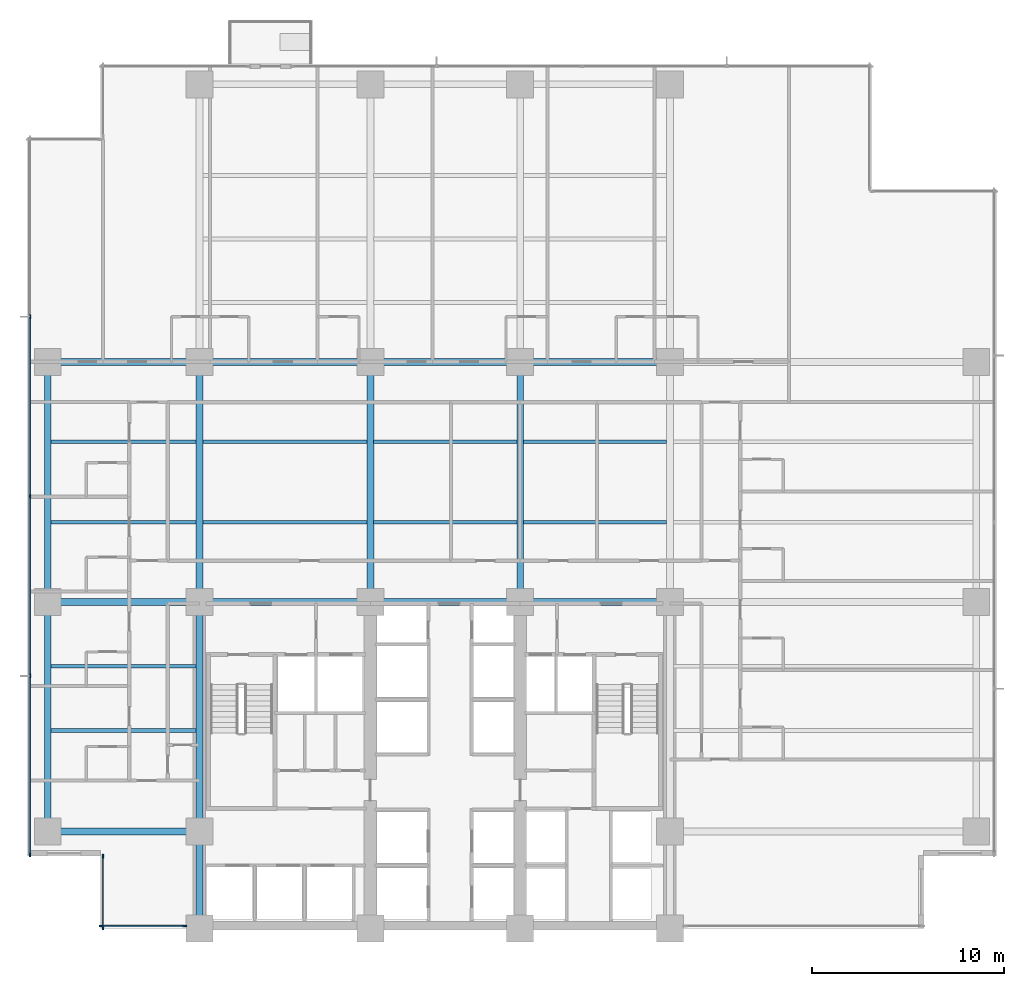
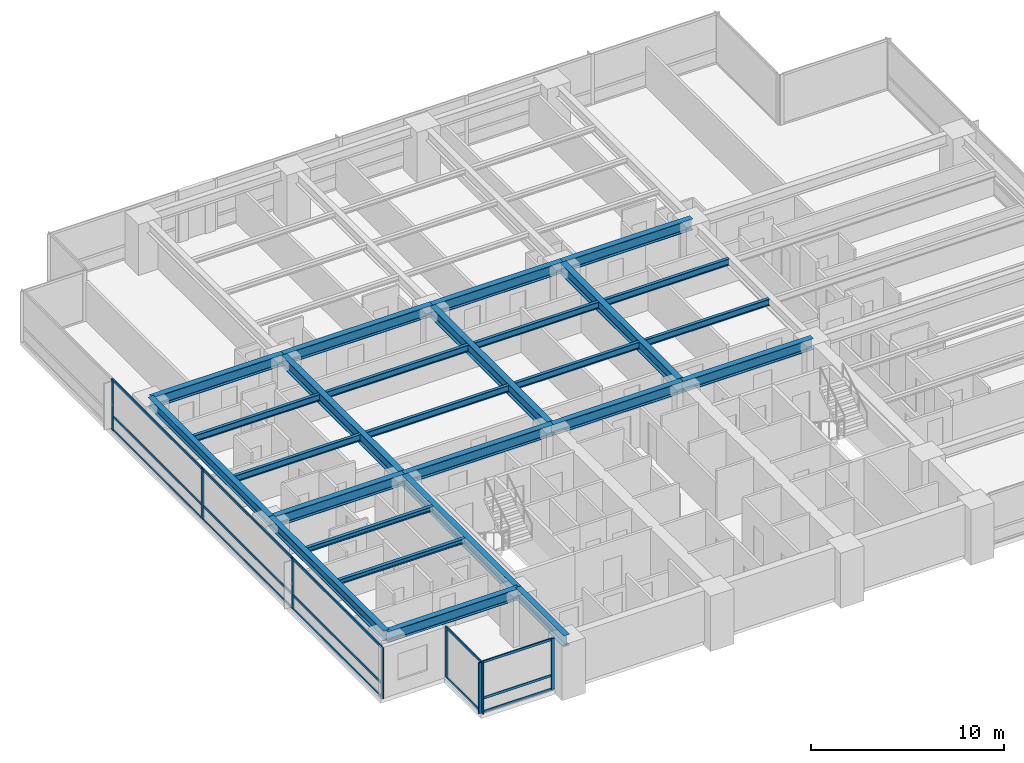
# One storey, part 2 of 16: 26 beams, 22 members, 3 elements without a shape of their own.
"""IFC4 building model written with IfcOpenShell, lengths in metres."""

from ifc_helpers import new_model, si_unit, direction, frame, origin, origin_2d, place, context, subcontext, project, spatial, rectangle, i_section, extrude, material, layer, layer_set, material_profile, profile_set, type_object, element, aggregate, save


model = new_model("IFC4")

# Units and contexts
model_context = context("Model", 3, precision=1e-05, world=origin(), true_north=direction((0.0, 1.0)))
body_context = subcontext(model_context, "Body", "Model", "MODEL_VIEW")
ifc_project = project(units=[si_unit("LENGTHUNIT", "METRE"), si_unit("AREAUNIT", "SQUARE_METRE"), si_unit("VOLUMEUNIT", "CUBIC_METRE"), si_unit("PLANEANGLEUNIT", "RADIAN"), si_unit("MASSUNIT", "GRAM", prefix="KILO")], contexts=[model_context])

# Site, building, storey
site_placement = place(None, origin())
site = spatial("IfcSite", under=ifc_project, at=site_placement, CompositionType="ELEMENT")
building_placement = place(site_placement, origin())
building = spatial("IfcBuilding", under=site, at=building_placement, Name="Qalmaran Belvedere Hotel", CompositionType="ELEMENT")
storey_placement = place(building_placement, frame((0.0, 0.0, 57.89990234375)))
storey = spatial("IfcBuildingStorey", under=building, at=storey_placement, Name="L14", CompositionType="ELEMENT", Elevation=57.89990234375)

# Beams
ifc_material_1 = material(Name="Steel S355JR", Category="steel")
ifc_material_profile_1 = material_profile(ifc_material_1, i_section(OverallWidth=0.202880859375, OverallDepth=0.302978515625, WebThickness=0.007568359375, FlangeThickness=0.01318359375, FilletRadius=0.012939453125, at=origin_2d()), Name="W310X60")
ifc_profile_set_1 = profile_set([ifc_material_profile_1], Name="Steel S355JR")
beam_type_1 = type_object("IfcBeamType", Name="BM-JST-W310X60", PredefinedType="JOIST", material=ifc_profile_set_1)
for number, where, z_axis, x_axis, name in (
    (1, (12.5615234375, 13.800048828125, 3.068603515625), (1.0, 0.0, 0.0), (0.0, 1.0, 0.0), "L14 West Wing Joist 038"),
    (2, (12.5615234375, 17.14990234375, 3.068603515625), (1.0, 0.0, 0.0), (0.0, 1.0, 0.0), "L14 West Wing Joist 040"),
):
    element("IfcBeam", number, at=place(storey_placement, frame(where, z_axis=z_axis, x_axis=x_axis)), inside=storey, type_object=beam_type_1, Name=name, PredefinedType="JOIST", context=body_context, shape_type="SweptSolid", body=[
        extrude(i_section(OverallWidth=0.202880859375, OverallDepth=0.302978515625, WebThickness=0.007568359375, FlangeThickness=0.01318359375, FilletRadius=0.012939453125, at=origin_2d()), origin(), (0.0, 0.0, 1.0), 7.56298828125),
    ])
ifc_material_profile_2 = material_profile(ifc_material_1, i_section(OverallWidth=0.180908203125, OverallDepth=0.4169921875, WebThickness=0.010986328125, FlangeThickness=0.018310546875, FilletRadius=0.014892578125, at=origin_2d()), Name="W410X85")
ifc_profile_set_2 = profile_set([ifc_material_profile_2], Name="Steel S355JR")
beam_type_2 = type_object("IfcBeamType", Name="BM-SB1-W410X85", PredefinedType="BEAM", material=ifc_profile_set_2)
beam_1_placement = place(storey_placement, frame((12.5615234375, 24.64990234375, 3.01171875), z_axis=(1.0, 0.0, 0.0), x_axis=(0.0, 1.0, 0.0)))
element("IfcBeam", 3, at=beam_1_placement, inside=storey, type_object=beam_type_2, Name="L14 West Secondary Beam 028", PredefinedType="BEAM", context=body_context, shape_type="SweptSolid", body=[
    extrude(i_section(OverallWidth=0.180908203125, OverallDepth=0.4169921875, WebThickness=0.010986328125, FlangeThickness=0.018310546875, FilletRadius=0.014892578125, at=origin_2d()), origin(), (0.0, 0.0, 1.0), 7.56298828125),
])
beam_2_placement = place(storey_placement, frame((20.4755859375, 24.64990234375, 3.01171875), z_axis=(1.0, 0.0, 0.0), x_axis=(0.0, 1.0, 0.0)))
element("IfcBeam", 4, at=beam_2_placement, inside=storey, type_object=beam_type_2, Name="L14 Secondary Floor Beam 029", PredefinedType="BEAM", context=body_context, shape_type="SweptSolid", body=[
    extrude(i_section(OverallWidth=0.180908203125, OverallDepth=0.4169921875, WebThickness=0.010986328125, FlangeThickness=0.018310546875, FilletRadius=0.014892578125, at=origin_2d()), origin(), (0.0, 0.0, 1.0), 8.548828125),
])
for number, where, z_axis, x_axis, name in (
    (5, (29.37548828125, 24.64990234375, 3.01171875), (1.0, 0.0, 0.0), (0.0, 1.0, 0.0), "L14 Secondary Floor Beam 030"),
    (6, (37.175537109375, 24.64990234375, 3.01171875), (1.0, 0.0, 0.0), (0.0, 1.0, 0.0), "L14 Secondary Floor Beam 031"),
):
    element("IfcBeam", number, at=place(storey_placement, frame(where, z_axis=z_axis, x_axis=x_axis)), inside=storey, type_object=beam_type_2, Name=name, PredefinedType="BEAM", context=body_context, shape_type="SweptSolid", body=[
        extrude(i_section(OverallWidth=0.180908203125, OverallDepth=0.4169921875, WebThickness=0.010986328125, FlangeThickness=0.018310546875, FilletRadius=0.014892578125, at=origin_2d()), origin(), (0.0, 0.0, 1.0), 7.448974609375),
    ])
beam_3_placement = place(storey_placement, frame((12.5615234375, 28.85009765625, 3.01171875), z_axis=(1.0, 0.0, 0.0), x_axis=(0.0, 1.0, 0.0)))
element("IfcBeam", 7, at=beam_3_placement, inside=storey, type_object=beam_type_2, Name="L14 West Secondary Beam 033", PredefinedType="BEAM", context=body_context, shape_type="SweptSolid", body=[
    extrude(i_section(OverallWidth=0.180908203125, OverallDepth=0.4169921875, WebThickness=0.010986328125, FlangeThickness=0.018310546875, FilletRadius=0.014892578125, at=origin_2d()), origin(), (0.0, 0.0, 1.0), 7.56298828125),
])
beam_4_placement = place(storey_placement, frame((20.4755859375, 28.85009765625, 3.01171875), z_axis=(1.0, 0.0, 0.0), x_axis=(0.0, 1.0, 0.0)))
element("IfcBeam", 8, at=beam_4_placement, inside=storey, type_object=beam_type_2, Name="L14 Secondary Floor Beam 034", PredefinedType="BEAM", context=body_context, shape_type="SweptSolid", body=[
    extrude(i_section(OverallWidth=0.180908203125, OverallDepth=0.4169921875, WebThickness=0.010986328125, FlangeThickness=0.018310546875, FilletRadius=0.014892578125, at=origin_2d()), origin(), (0.0, 0.0, 1.0), 8.548828125),
])
for number, where, z_axis, x_axis, name in (
    (9, (29.37548828125, 28.85009765625, 3.01171875), (1.0, 0.0, 0.0), (0.0, 1.0, 0.0), "L14 Secondary Floor Beam 035"),
    (10, (37.175537109375, 28.85009765625, 3.01171875), (1.0, 0.0, 0.0), (0.0, 1.0, 0.0), "L14 Secondary Floor Beam 036"),
):
    element("IfcBeam", number, at=place(storey_placement, frame(where, z_axis=z_axis, x_axis=x_axis)), inside=storey, type_object=beam_type_2, Name=name, PredefinedType="BEAM", context=body_context, shape_type="SweptSolid", body=[
        extrude(i_section(OverallWidth=0.180908203125, OverallDepth=0.4169921875, WebThickness=0.010986328125, FlangeThickness=0.018310546875, FilletRadius=0.014892578125, at=origin_2d()), origin(), (0.0, 0.0, 1.0), 7.448974609375),
    ])
ifc_material_profile_3 = material_profile(ifc_material_1, i_section(OverallWidth=0.326904296875, OverallDepth=0.6220703125, WebThickness=0.015380859375, FlangeThickness=0.0244140625, FilletRadius=0.02001953125, at=origin_2d()), Name="W610X195")
ifc_profile_set_3 = profile_set([ifc_material_profile_3], Name="Steel S355JR")
beam_type_3 = type_object("IfcBeamType", Name="BM-SP1-W610X195", PredefinedType="SPANDREL", material=ifc_profile_set_3)
beam_5_placement = place(storey_placement, frame((12.39990234375, 8.550048828125, 2.9091796875), z_axis=(0.0, 1.0, 0.0), x_axis=(-1.0, 0.0, 0.0)))
element("IfcBeam", 11, at=beam_5_placement, inside=storey, type_object=beam_type_3, Name="L14 Perimeter Spandrel 01", PredefinedType="SPANDREL", context=body_context, shape_type="SweptSolid", body=[
    extrude(i_section(OverallWidth=0.326904296875, OverallDepth=0.6220703125, WebThickness=0.015380859375, FlangeThickness=0.0244140625, FilletRadius=0.02001953125, at=origin_2d()), origin(), (0.0, 0.0, 1.0), 11.949951171875),
])
beam_6_placement = place(storey_placement, frame((12.39990234375, 20.5, 2.9091796875), z_axis=(0.0, 1.0, 0.0), x_axis=(-1.0, 0.0, 0.0)))
element("IfcBeam", 12, at=beam_6_placement, inside=storey, type_object=beam_type_3, Name="L14 Perimeter Spandrel 02", PredefinedType="SPANDREL", context=body_context, shape_type="SweptSolid", body=[
    extrude(i_section(OverallWidth=0.326904296875, OverallDepth=0.6220703125, WebThickness=0.015380859375, FlangeThickness=0.0244140625, FilletRadius=0.02001953125, at=origin_2d()), origin(), (0.0, 0.0, 1.0), 12.5),
])
ifc_material_profile_4 = material_profile(ifc_material_1, i_section(OverallWidth=0.35498046875, OverallDepth=0.695068359375, WebThickness=0.015380859375, FlangeThickness=0.02490234375, FilletRadius=0.02197265625, at=origin_2d()), Name="W690X217")
ifc_profile_set_4 = profile_set([ifc_material_profile_4], Name="Steel S355JR")
beam_type_4 = type_object("IfcBeamType", Name="BM-Z1-W690X217", PredefinedType="USERDEFINED", material=ifc_profile_set_4)
beam_7_placement = place(storey_placement, frame((20.300048828125, 20.5, 2.87255859375), z_axis=(1.0, 0.0, 0.0), x_axis=(0.0, 1.0, 0.0)))
element("IfcBeam", 13, at=beam_7_placement, inside=storey, type_object=beam_type_4, Name="L14 Interior E-W Girder 08", ObjectType="GIRDER", PredefinedType="USERDEFINED", context=body_context, shape_type="SweptSolid", body=[
    extrude(i_section(OverallWidth=0.35498046875, OverallDepth=0.695068359375, WebThickness=0.015380859375, FlangeThickness=0.02490234375, FilletRadius=0.02197265625, at=origin_2d()), origin(), (0.0, 0.0, 1.0), 8.89990234375),
])
for number, where, z_axis, x_axis, name in (
    (14, (29.199951171875, 20.5, 2.87255859375), (1.0, 0.0, 0.0), (0.0, 1.0, 0.0), "L14 Interior E-W Girder 09"),
    (15, (37.0, 20.5, 2.87255859375), (1.0, 0.0, 0.0), (0.0, 1.0, 0.0), "L14 Interior E-W Girder 10"),
):
    element("IfcBeam", number, at=place(storey_placement, frame(where, z_axis=z_axis, x_axis=x_axis)), inside=storey, type_object=beam_type_4, Name=name, ObjectType="GIRDER", PredefinedType="USERDEFINED", context=body_context, shape_type="SweptSolid", body=[
        extrude(i_section(OverallWidth=0.35498046875, OverallDepth=0.695068359375, WebThickness=0.015380859375, FlangeThickness=0.02490234375, FilletRadius=0.02197265625, at=origin_2d()), origin(), (0.0, 0.0, 1.0), 7.800048828125),
    ])
beam_8_placement = place(storey_placement, frame((20.300048828125, 33.0, 2.87255859375), z_axis=(1.0, 0.0, 0.0), x_axis=(0.0, 1.0, 0.0)))
element("IfcBeam", 16, at=beam_8_placement, inside=storey, type_object=beam_type_4, Name="L14 Interior E-W Girder 11", ObjectType="GIRDER", PredefinedType="USERDEFINED", context=body_context, shape_type="SweptSolid", body=[
    extrude(i_section(OverallWidth=0.35498046875, OverallDepth=0.695068359375, WebThickness=0.015380859375, FlangeThickness=0.02490234375, FilletRadius=0.02197265625, at=origin_2d()), origin(), (0.0, 0.0, 1.0), 8.89990234375),
])
for number, where, z_axis, x_axis, name in (
    (17, (29.199951171875, 33.0, 2.87255859375), (1.0, 0.0, 0.0), (0.0, 1.0, 0.0), "L14 Interior E-W Girder 12"),
    (18, (37.0, 33.0, 2.87255859375), (1.0, 0.0, 0.0), (0.0, 1.0, 0.0), "L14 Interior E-W Girder 13"),
):
    element("IfcBeam", number, at=place(storey_placement, frame(where, z_axis=z_axis, x_axis=x_axis)), inside=storey, type_object=beam_type_4, Name=name, ObjectType="GIRDER", PredefinedType="USERDEFINED", context=body_context, shape_type="SweptSolid", body=[
        extrude(i_section(OverallWidth=0.35498046875, OverallDepth=0.695068359375, WebThickness=0.015380859375, FlangeThickness=0.02490234375, FilletRadius=0.02197265625, at=origin_2d()), origin(), (0.0, 0.0, 1.0), 7.800048828125),
    ])
for number, where, z_axis, x_axis, name in (
    (19, (20.300048828125, 20.5, 2.87255859375), (0.0, 1.0, 0.0), (-1.0, 0.0, 0.0), "L14 Mid-Plate N-S Girder 14"),
    (20, (29.199951171875, 20.5, 2.87255859375), (0.0, 1.0, 0.0), (-1.0, 0.0, 0.0), "L14 Mid-Plate N-S Girder 16"),
    (21, (37.0, 20.5, 2.87255859375), (0.0, 1.0, 0.0), (-1.0, 0.0, 0.0), "L14 Mid-Plate N-S Girder 18"),
):
    element("IfcBeam", number, at=place(storey_placement, frame(where, z_axis=z_axis, x_axis=x_axis)), inside=storey, type_object=beam_type_4, Name=name, ObjectType="GIRDER", PredefinedType="USERDEFINED", context=body_context, shape_type="SweptSolid", body=[
        extrude(i_section(OverallWidth=0.35498046875, OverallDepth=0.695068359375, WebThickness=0.015380859375, FlangeThickness=0.02490234375, FilletRadius=0.02197265625, at=origin_2d()), origin(), (0.0, 0.0, 1.0), 12.5),
    ])
for number, where, z_axis, x_axis, name in (
    (22, (12.39990234375, 8.550048828125, 2.87255859375), (1.0, 0.0, 0.0), (0.0, 1.0, 0.0), "L14 West Wing Girder 22"),
    (23, (12.39990234375, 20.5, 2.87255859375), (1.0, 0.0, 0.0), (0.0, 1.0, 0.0), "L14 West Wing Girder 23"),
    (24, (12.39990234375, 33.0, 2.87255859375), (1.0, 0.0, 0.0), (0.0, 1.0, 0.0), "L14 West Wing Girder 24"),
):
    element("IfcBeam", number, at=place(storey_placement, frame(where, z_axis=z_axis, x_axis=x_axis)), inside=storey, type_object=beam_type_4, Name=name, ObjectType="GIRDER", PredefinedType="USERDEFINED", context=body_context, shape_type="SweptSolid", body=[
        extrude(i_section(OverallWidth=0.35498046875, OverallDepth=0.695068359375, WebThickness=0.015380859375, FlangeThickness=0.02490234375, FilletRadius=0.02197265625, at=origin_2d()), origin(), (0.0, 0.0, 1.0), 7.900146484375),
    ])
beam_9_placement = place(storey_placement, frame((20.300048828125, 3.5, 2.87255859375), z_axis=(0.0, 1.0, 0.0), x_axis=(-1.0, 0.0, 0.0)))
element("IfcBeam", 25, at=beam_9_placement, inside=storey, type_object=beam_type_4, Name="L14 West Core Edge Girder A", ObjectType="GIRDER", PredefinedType="USERDEFINED", context=body_context, shape_type="SweptSolid", body=[
    extrude(i_section(OverallWidth=0.35498046875, OverallDepth=0.695068359375, WebThickness=0.015380859375, FlangeThickness=0.02490234375, FilletRadius=0.02197265625, at=origin_2d()), origin(), (0.0, 0.0, 1.0), 5.050048828125),
])
beam_10_placement = place(storey_placement, frame((20.300048828125, 8.550048828125, 2.87255859375), z_axis=(0.0, 1.0, 0.0), x_axis=(-1.0, 0.0, 0.0)))
element("IfcBeam", 26, at=beam_10_placement, inside=storey, type_object=beam_type_4, Name="L14 West Core Edge Girder B", ObjectType="GIRDER", PredefinedType="USERDEFINED", context=body_context, shape_type="SweptSolid", body=[
    extrude(i_section(OverallWidth=0.35498046875, OverallDepth=0.695068359375, WebThickness=0.015380859375, FlangeThickness=0.02490234375, FilletRadius=0.02197265625, at=origin_2d()), origin(), (0.0, 0.0, 1.0), 11.949951171875),
])

# Curtain wall, members
ifc_material_2 = material(Name="Anodised Bronze Aluminium", Category="aluminium")
ifc_layer = layer(ifc_material_2, 0.2099609375, Name="Anodised Bronze Aluminium")
ifc_layer_set = layer_set([ifc_layer], Name="Anodised Bronze Aluminium")
curtain_wall_type = type_object("IfcCurtainWallType", Name="CW2-TOWER-LOWER", PredefinedType="NOTDEFINED", material=ifc_layer_set)
curtain_wall_1_placement = place(storey_placement, origin())
curtain_wall_1 = element("IfcCurtainWall", 27, at=curtain_wall_1_placement, inside=storey, type_object=curtain_wall_type, Name="L14 Curtain Wall CW2", PredefinedType="NOTDEFINED")
ifc_material_profile_5 = material_profile(ifc_material_2, rectangle(XDim=0.074951171875, YDim=0.219970703125, at=origin_2d()), Name="CWM75X220")
ifc_profile_set_5 = profile_set([ifc_material_profile_5], Name="Anodised Bronze Aluminium")
member_type_1 = type_object("IfcMemberType", Name="CWM-75X220", PredefinedType="MULLION", material=ifc_profile_set_5)
member_1_placement = place(storey_placement, frame((15.1875, 3.6201171875, 0.0), z_axis=(0.0, 0.0, 1.0), x_axis=(0.0, 1.0, 0.0)))
member_1 = element("IfcMember", 28, at=member_1_placement, type_object=member_type_1, Name="CW2 mullion 1", PredefinedType="MULLION", context=body_context, shape_type="SweptSolid", body=[
    extrude(rectangle(XDim=0.074951171875, YDim=0.219970703125, at=origin_2d()), origin(), (0.0, 0.0, 1.0), 3.22021484375),
])
member_2_placement = place(storey_placement, frame((19.5224609375, 3.6201171875, 0.0), z_axis=(0.0, 0.0, 1.0), x_axis=(0.0, 1.0, 0.0)))
member_2 = element("IfcMember", 29, at=member_2_placement, type_object=member_type_1, Name="CW2 mullion 2", PredefinedType="MULLION", context=body_context, shape_type="SweptSolid", body=[
    extrude(rectangle(XDim=0.074951171875, YDim=0.219970703125, at=origin_2d()), origin(), (0.0, 0.0, 1.0), 3.22021484375),
])

curtain_wall_2_placement = place(storey_placement, origin())
curtain_wall_2 = element("IfcCurtainWall", 30, at=curtain_wall_2_placement, inside=storey, type_object=curtain_wall_type, Name="L14 Curtain Wall CW2", PredefinedType="NOTDEFINED")
member_3_placement = place(storey_placement, frame((11.469970703125, 35.35009765625, 0.0), z_axis=(0.0, 0.0, 1.0), x_axis=(1.0, 0.0, 0.0)))
member_3 = element("IfcMember", 31, at=member_3_placement, type_object=member_type_1, Name="CW2 mullion 2", PredefinedType="MULLION", context=body_context, shape_type="SweptSolid", body=[
    extrude(rectangle(XDim=0.074951171875, YDim=0.219970703125, at=origin_2d()), origin(), (0.0, 0.0, 1.0), 3.22021484375),
])
member_4_placement = place(storey_placement, frame((11.469970703125, 26.0, 0.0), z_axis=(0.0, 0.0, 1.0), x_axis=(1.0, 0.0, 0.0)))
member_4 = element("IfcMember", 32, at=member_4_placement, type_object=member_type_1, Name="CW2 mullion 3", PredefinedType="MULLION", context=body_context, shape_type="SweptSolid", body=[
    extrude(rectangle(XDim=0.074951171875, YDim=0.219970703125, at=origin_2d()), origin(), (0.0, 0.0, 1.0), 3.22021484375),
])
member_5_placement = place(storey_placement, frame((11.469970703125, 16.64990234375, 0.0), z_axis=(0.0, 0.0, 1.0), x_axis=(1.0, 0.0, 0.0)))
member_5 = element("IfcMember", 33, at=member_5_placement, type_object=member_type_1, Name="CW2 mullion 4", PredefinedType="MULLION", context=body_context, shape_type="SweptSolid", body=[
    extrude(rectangle(XDim=0.074951171875, YDim=0.219970703125, at=origin_2d()), origin(), (0.0, 0.0, 1.0), 3.22021484375),
])
member_6_placement = place(storey_placement, frame((11.469970703125, 7.33740234375, 0.0), z_axis=(0.0, 0.0, 1.0), x_axis=(1.0, 0.0, 0.0)))
member_6 = element("IfcMember", 34, at=member_6_placement, type_object=member_type_1, Name="CW2 mullion 5", PredefinedType="MULLION", context=body_context, shape_type="SweptSolid", body=[
    extrude(rectangle(XDim=0.074951171875, YDim=0.219970703125, at=origin_2d()), origin(), (0.0, 0.0, 1.0), 3.22021484375),
])

curtain_wall_3_placement = place(storey_placement, origin())
curtain_wall_3 = element("IfcCurtainWall", 35, at=curtain_wall_3_placement, inside=storey, type_object=curtain_wall_type, Name="L14 Curtain Wall CW2", PredefinedType="NOTDEFINED")
member_7_placement = place(storey_placement, frame((15.27001953125, 7.262451171875, 0.0), z_axis=(0.0, 0.0, 1.0), x_axis=(1.0, 0.0, 0.0)))
member_7 = element("IfcMember", 36, at=member_7_placement, type_object=member_type_1, Name="CW2 mullion 1", PredefinedType="MULLION", context=body_context, shape_type="SweptSolid", body=[
    extrude(rectangle(XDim=0.074951171875, YDim=0.219970703125, at=origin_2d()), origin(), (0.0, 0.0, 1.0), 3.22021484375),
])
member_8_placement = place(storey_placement, frame((15.27001953125, 3.53759765625, 0.0), z_axis=(0.0, 0.0, 1.0), x_axis=(1.0, 0.0, 0.0)))
member_8 = element("IfcMember", 37, at=member_8_placement, type_object=member_type_1, Name="CW2 mullion 2", PredefinedType="MULLION", context=body_context, shape_type="SweptSolid", body=[
    extrude(rectangle(XDim=0.074951171875, YDim=0.219970703125, at=origin_2d()), origin(), (0.0, 0.0, 1.0), 3.22021484375),
])

# Member
ifc_material_profile_6 = material_profile(ifc_material_2, rectangle(XDim=0.070068359375, YDim=0.14990234375, at=origin_2d()), Name="CWT70X150")
ifc_profile_set_6 = profile_set([ifc_material_profile_6], Name="Anodised Bronze Aluminium")
member_type_2 = type_object("IfcMemberType", Name="CWT-70X150", PredefinedType="USERDEFINED", material=ifc_profile_set_6)
member_9_placement = place(storey_placement, frame((15.22509765625, 3.6201171875, 0.03515625), z_axis=(1.0, 0.0, 0.0), x_axis=(0.0, 1.0, 0.0)))
member_9 = element("IfcMember", 38, at=member_9_placement, type_object=member_type_2, Name="CW2 transom 1.1", ObjectType="TRANSOM", PredefinedType="USERDEFINED", context=body_context, shape_type="SweptSolid", body=[
    extrude(rectangle(XDim=0.070068359375, YDim=0.14990234375, at=origin_2d()), origin(), (0.0, 0.0, 1.0), 4.260009765625),
])

member_10_placement = place(storey_placement, frame((15.22509765625, 3.6201171875, 0.901611328125), z_axis=(1.0, 0.0, 0.0), x_axis=(0.0, 1.0, 0.0)))
member_10 = element("IfcMember", 39, at=member_10_placement, type_object=member_type_2, Name="CW2 transom 1.2", ObjectType="TRANSOM", PredefinedType="USERDEFINED", context=body_context, shape_type="SweptSolid", body=[
    extrude(rectangle(XDim=0.070068359375, YDim=0.14990234375, at=origin_2d()), origin(), (0.0, 0.0, 1.0), 4.260009765625),
])

member_11_placement = place(storey_placement, frame((15.22509765625, 3.6201171875, 3.18505859375), z_axis=(1.0, 0.0, 0.0), x_axis=(0.0, 1.0, 0.0)))
member_11 = element("IfcMember", 40, at=member_11_placement, type_object=member_type_2, Name="CW2 transom 1.3", ObjectType="TRANSOM", PredefinedType="USERDEFINED", context=body_context, shape_type="SweptSolid", body=[
    extrude(rectangle(XDim=0.070068359375, YDim=0.14990234375, at=origin_2d()), origin(), (0.0, 0.0, 1.0), 4.260009765625),
])

aggregate(curtain_wall_1, [member_1, member_2, member_9, member_10, member_11])

member_12_placement = place(storey_placement, frame((11.469970703125, 35.3125, 0.03515625), z_axis=(0.0, -1.0, 0.0), x_axis=(1.0, 0.0, 0.0)))
member_12 = element("IfcMember", 41, at=member_12_placement, type_object=member_type_2, Name="CW2 transom 2.1", ObjectType="TRANSOM", PredefinedType="USERDEFINED", context=body_context, shape_type="SweptSolid", body=[
    extrude(rectangle(XDim=0.070068359375, YDim=0.14990234375, at=origin_2d()), origin(), (0.0, 0.0, 1.0), 9.27490234375),
])

member_13_placement = place(storey_placement, frame((11.469970703125, 35.3125, 0.901611328125), z_axis=(0.0, -1.0, 0.0), x_axis=(1.0, 0.0, 0.0)))
member_13 = element("IfcMember", 42, at=member_13_placement, type_object=member_type_2, Name="CW2 transom 2.2", ObjectType="TRANSOM", PredefinedType="USERDEFINED", context=body_context, shape_type="SweptSolid", body=[
    extrude(rectangle(XDim=0.070068359375, YDim=0.14990234375, at=origin_2d()), origin(), (0.0, 0.0, 1.0), 9.27490234375),
])

member_14_placement = place(storey_placement, frame((11.469970703125, 35.3125, 3.18505859375), z_axis=(0.0, -1.0, 0.0), x_axis=(1.0, 0.0, 0.0)))
member_14 = element("IfcMember", 43, at=member_14_placement, type_object=member_type_2, Name="CW2 transom 2.3", ObjectType="TRANSOM", PredefinedType="USERDEFINED", context=body_context, shape_type="SweptSolid", body=[
    extrude(rectangle(XDim=0.070068359375, YDim=0.14990234375, at=origin_2d()), origin(), (0.0, 0.0, 1.0), 9.27490234375),
])

member_15_placement = place(storey_placement, frame((11.469970703125, 25.96240234375, 0.03515625), z_axis=(0.0, -1.0, 0.0), x_axis=(1.0, 0.0, 0.0)))
member_15 = element("IfcMember", 44, at=member_15_placement, type_object=member_type_2, Name="CW2 transom 3.1", ObjectType="TRANSOM", PredefinedType="USERDEFINED", context=body_context, shape_type="SweptSolid", body=[
    extrude(rectangle(XDim=0.070068359375, YDim=0.14990234375, at=origin_2d()), origin(), (0.0, 0.0, 1.0), 9.27490234375),
])

member_16_placement = place(storey_placement, frame((11.469970703125, 25.96240234375, 0.901611328125), z_axis=(0.0, -1.0, 0.0), x_axis=(1.0, 0.0, 0.0)))
member_16 = element("IfcMember", 45, at=member_16_placement, type_object=member_type_2, Name="CW2 transom 3.2", ObjectType="TRANSOM", PredefinedType="USERDEFINED", context=body_context, shape_type="SweptSolid", body=[
    extrude(rectangle(XDim=0.070068359375, YDim=0.14990234375, at=origin_2d()), origin(), (0.0, 0.0, 1.0), 9.27490234375),
])

member_17_placement = place(storey_placement, frame((11.469970703125, 25.96240234375, 3.18505859375), z_axis=(0.0, -1.0, 0.0), x_axis=(1.0, 0.0, 0.0)))
member_17 = element("IfcMember", 46, at=member_17_placement, type_object=member_type_2, Name="CW2 transom 3.3", ObjectType="TRANSOM", PredefinedType="USERDEFINED", context=body_context, shape_type="SweptSolid", body=[
    extrude(rectangle(XDim=0.070068359375, YDim=0.14990234375, at=origin_2d()), origin(), (0.0, 0.0, 1.0), 9.27490234375),
])

member_18_placement = place(storey_placement, frame((11.469970703125, 16.612548828125, 0.03515625), z_axis=(0.0, -1.0, 0.0), x_axis=(1.0, 0.0, 0.0)))
member_18 = element("IfcMember", 47, at=member_18_placement, type_object=member_type_2, Name="CW2 transom 4.1", ObjectType="TRANSOM", PredefinedType="USERDEFINED", context=body_context, shape_type="SweptSolid", body=[
    extrude(rectangle(XDim=0.070068359375, YDim=0.14990234375, at=origin_2d()), origin(), (0.0, 0.0, 1.0), 9.237548828125),
])

member_19_placement = place(storey_placement, frame((11.469970703125, 16.612548828125, 0.901611328125), z_axis=(0.0, -1.0, 0.0), x_axis=(1.0, 0.0, 0.0)))
member_19 = element("IfcMember", 48, at=member_19_placement, type_object=member_type_2, Name="CW2 transom 4.2", ObjectType="TRANSOM", PredefinedType="USERDEFINED", context=body_context, shape_type="SweptSolid", body=[
    extrude(rectangle(XDim=0.070068359375, YDim=0.14990234375, at=origin_2d()), origin(), (0.0, 0.0, 1.0), 9.237548828125),
])

member_20_placement = place(storey_placement, frame((11.469970703125, 16.612548828125, 3.18505859375), z_axis=(0.0, -1.0, 0.0), x_axis=(1.0, 0.0, 0.0)))
member_20 = element("IfcMember", 49, at=member_20_placement, type_object=member_type_2, Name="CW2 transom 4.3", ObjectType="TRANSOM", PredefinedType="USERDEFINED", context=body_context, shape_type="SweptSolid", body=[
    extrude(rectangle(XDim=0.070068359375, YDim=0.14990234375, at=origin_2d()), origin(), (0.0, 0.0, 1.0), 9.237548828125),
])

aggregate(curtain_wall_2, [member_3, member_4, member_5, member_6, member_12, member_13, member_14, member_15, member_16, member_17, member_18, member_19, member_20])

member_21_placement = place(storey_placement, frame((15.27001953125, 7.22509765625, 0.03515625), z_axis=(0.0, -1.0, 0.0), x_axis=(1.0, 0.0, 0.0)))
member_21 = element("IfcMember", 50, at=member_21_placement, type_object=member_type_2, Name="CW2 transom 1.1", ObjectType="TRANSOM", PredefinedType="USERDEFINED", context=body_context, shape_type="SweptSolid", body=[
    extrude(rectangle(XDim=0.070068359375, YDim=0.14990234375, at=origin_2d()), origin(), (0.0, 0.0, 1.0), 3.650146484375),
])

member_22_placement = place(storey_placement, frame((15.27001953125, 7.22509765625, 3.18505859375), z_axis=(0.0, -1.0, 0.0), x_axis=(1.0, 0.0, 0.0)))
member_22 = element("IfcMember", 51, at=member_22_placement, type_object=member_type_2, Name="CW2 transom 1.2", ObjectType="TRANSOM", PredefinedType="USERDEFINED", context=body_context, shape_type="SweptSolid", body=[
    extrude(rectangle(XDim=0.070068359375, YDim=0.14990234375, at=origin_2d()), origin(), (0.0, 0.0, 1.0), 3.650146484375),
])

aggregate(curtain_wall_3, [member_7, member_8, member_21, member_22])

save(model, "model.ifc")
